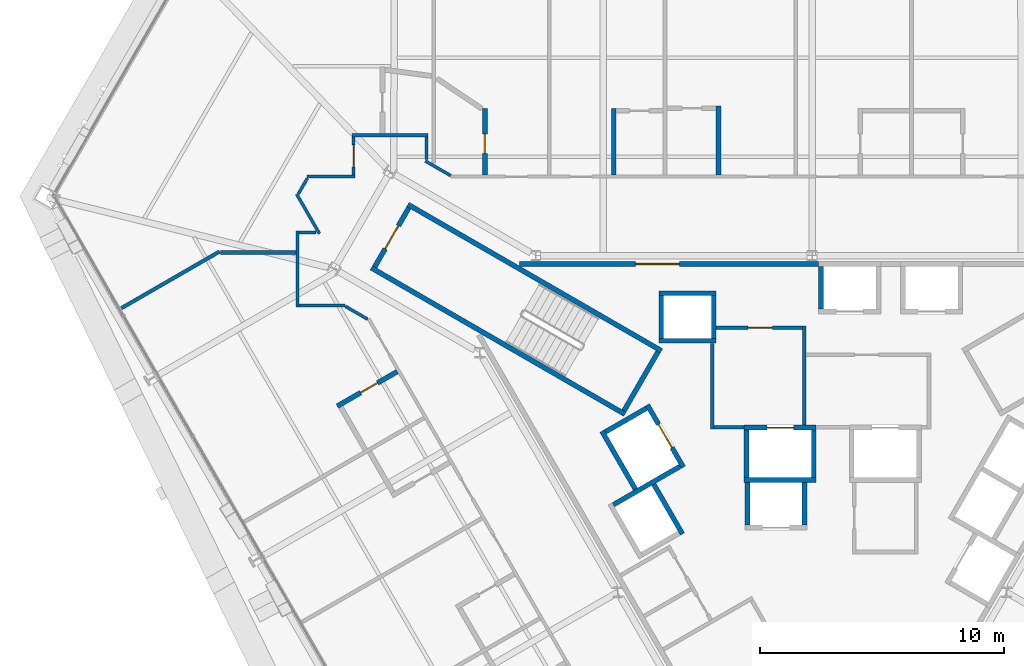
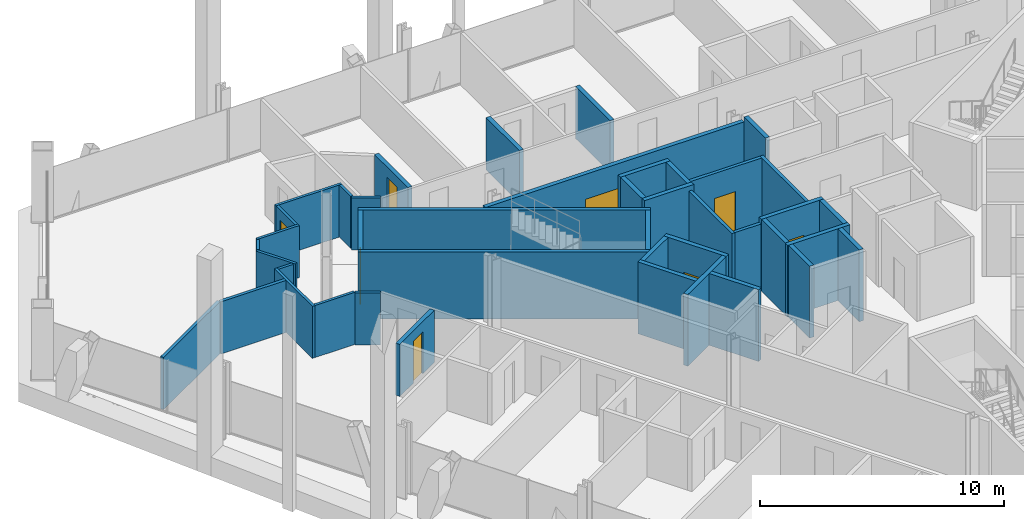
# One storey, part 15 of 21: 42 walls, 8 doors, 8 openings.
"""IFC4 building model written with IfcOpenShell, lengths in metres."""

from ifc_helpers import new_model, si_unit, direction, frame, frame_2d, origin, place, context, subcontext, project, spatial, rectangle, extrude, material, layer, layer_set, type_object, element, fill, save


model = new_model("IFC4")

# Units and contexts
model_context = context("Model", 3, precision=1e-05, world=origin(), true_north=direction((0.0, 1.0)))
body_context = subcontext(model_context, "Body", "Model", "MODEL_VIEW")
ifc_project = project(units=[si_unit("LENGTHUNIT", "METRE"), si_unit("AREAUNIT", "SQUARE_METRE"), si_unit("VOLUMEUNIT", "CUBIC_METRE"), si_unit("PLANEANGLEUNIT", "RADIAN"), si_unit("MASSUNIT", "GRAM", prefix="KILO")], contexts=[model_context])

# Site, building, storey
site_placement = place(None, origin())
site = spatial("IfcSite", under=ifc_project, at=site_placement, CompositionType="ELEMENT")
building_placement = place(site_placement, origin())
building = spatial("IfcBuilding", under=site, at=building_placement, Name="Verrane Prism Tower", CompositionType="ELEMENT")
storey_placement = place(building_placement, frame((0.0, 0.0, 65.60009765625)))
storey = spatial("IfcBuildingStorey", under=building, at=storey_placement, Name="L14", CompositionType="ELEMENT", Elevation=65.60009765625)

# Wall, opening, door
ifc_material_1 = material(Name="Gypsum board partition", Category="other")
ifc_layer_1 = layer(ifc_material_1, 0.199951171875)
ifc_layer_set_1 = layer_set([ifc_layer_1], Name="CW-200 core boundary wall 2 h")
wall_type_1 = type_object("IfcWallType", Name="CW-200 core boundary wall 2 h", PredefinedType="PARTITIONING", material=ifc_layer_set_1)
wall_1_placement = place(storey_placement, frame((0.262939453125, 8.860107421875, 0.0), z_axis=(0.0, 0.0, 1.0), x_axis=(-1.0, 0.0, 0.0)))
wall_1 = element("IfcWall", 1, at=wall_1_placement, inside=storey, type_object=wall_type_1, Name="Core boundary wall CW3-002", PredefinedType="PARTITIONING", context=body_context, shape_type="SweptSolid", body=[
    extrude(rectangle(XDim=12.25390625, YDim=0.199951171875, at=frame_2d((6.126953125, 0.0))), origin(), (0.0, 0.0, 1.0), 3.349853515625),
])
opening_1_placement = place(wall_1_placement, frame((5.708984375, 0.0, 0.0)))
opening_1 = element("IfcOpeningElement", 2, at=opening_1_placement, cuts=wall_1, Name="Opening D14511", PredefinedType="OPENING", context=body_context, shape_type="SweptSolid", body=[
    extrude(rectangle(XDim=1.800048828125, YDim=2.10009765625, at=frame_2d((0.89990234375, 1.050048828125))), frame((0.0, 0.10986328125, 0.0), z_axis=(0.0, -1.0, 0.0), x_axis=(1.0, 0.0, 0.0)), (0.0, 0.0, 1.0), 0.219970703125),
])
ifc_material_2 = material(Name="Timber veneered door leaf", Category="wood")
door_type_1 = type_object("IfcDoorType", Name="DR-1800x2100 FD60 double leaf lift lobby", OperationType="NOTDEFINED", PredefinedType="DOOR", material=ifc_material_2)
door_1_placement = place(opening_1_placement, origin())
door_1 = element("IfcDoor", 3, at=door_1_placement, inside=storey, type_object=door_type_1, Name="Lift lobby door D14511", OperationType="DOUBLE_DOOR_SINGLE_SWING", OverallHeight=2.10009765625, OverallWidth=1.800048828125, PredefinedType="DOOR", context=body_context, shape_type="SweptSolid", body=[
    extrude(rectangle(XDim=1.800048828125, YDim=2.10009765625, at=frame_2d((0.89990234375, 1.050048828125))), frame((0.0, 0.02490234375, 0.0), z_axis=(0.0, -1.0, 0.0), x_axis=(1.0, 0.0, 0.0)), (0.0, 0.0, 1.0), 0.050048828125),
])
fill(opening_1, door_1)

ifc_material_3 = material(Name="Concrete C40/50", Category="concrete")
ifc_layer_2 = layer(ifc_material_3, 0.199951171875)
ifc_layer_set_2 = layer_set([ifc_layer_2], Name="CW-200 stair core wall concrete C40/50 3 h")
wall_type_2 = type_object("IfcWallType", Name="CW-200 stair core wall concrete C40/50 3 h", PredefinedType="PARTITIONING", material=ifc_layer_set_2)
wall_2_placement = place(storey_placement, frame((-16.533935546875, 11.162353515625, 0.0), z_axis=(0.0, 0.0, 1.0), x_axis=(-0.49998411664, -0.866034573852, 0.0)))
wall_2 = element("IfcWall", 4, at=wall_2_placement, inside=storey, type_object=wall_type_2, Name="Stair 2 enclosure wall", PredefinedType="PARTITIONING", context=body_context, shape_type="SweptSolid", body=[
    extrude(rectangle(XDim=2.7998046875, YDim=0.199951171875, at=frame_2d((1.39990234375, 0.0))), origin(), (0.0, 0.0, 1.0), 3.349853515625),
])
opening_2_placement = place(wall_2_placement, frame((0.849853515625, 0.0, 0.0)))
opening_2 = element("IfcOpeningElement", 5, at=opening_2_placement, cuts=wall_2, Name="Opening D14501", PredefinedType="OPENING", context=body_context, shape_type="SweptSolid", body=[
    extrude(rectangle(XDim=1.10009765625, YDim=2.10009765625, at=frame_2d((0.550048828125, 1.050048828125))), frame((0.0, 0.10986328125, 0.0), z_axis=(0.0, -1.0, 0.0), x_axis=(1.0, 0.0, 0.0)), (0.0, 0.0, 1.0), 0.219970703125),
])
ifc_material_4 = material(Name="Timber veneered door leaf", Category="wood")
door_type_2 = type_object("IfcDoorType", Name="DR-1100x2100 FD90 single leaf stair", OperationType="NOTDEFINED", PredefinedType="DOOR", material=ifc_material_4)
door_2_placement = place(opening_2_placement, origin())
door_2 = element("IfcDoor", 6, at=door_2_placement, inside=storey, type_object=door_type_2, Name="Stair 2 door", OperationType="SINGLE_SWING_RIGHT", OverallHeight=2.10009765625, OverallWidth=1.10009765625, PredefinedType="DOOR", context=body_context, shape_type="SweptSolid", body=[
    extrude(rectangle(XDim=1.10009765625, YDim=2.10009765625, at=frame_2d((0.550048828125, 1.050048828125))), frame((0.0, 0.02490234375, 0.0), z_axis=(0.0, -1.0, 0.0), x_axis=(1.0, 0.0, 0.0)), (0.0, 0.0, 1.0), 0.050048828125),
])
fill(opening_2, door_2)

# Walls
for number, where, z_axis, x_axis, name in (
    (7, (-7.67822265625, 2.700927734375, 0.0), (0.0, 0.0, 1.0), (-0.866026010844, 0.49999894854, 0.0), "Stair 2 enclosure wall"),
    (8, (-6.17822265625, 5.299072265625, 0.0), (0.0, 0.0, 1.0), (-0.866026010844, 0.49999894854, 0.0), "Stair 2 enclosure wall"),
):
    element("IfcWall", number, at=place(storey_placement, frame(where, z_axis=z_axis, x_axis=x_axis)), inside=storey, type_object=wall_type_2, Name=name, PredefinedType="PARTITIONING", context=body_context, shape_type="SweptSolid", body=[
        extrude(rectangle(XDim=12.0, YDim=0.199951171875, at=frame_2d((6.0, 0.0))), origin(), (0.0, 0.0, 1.0), 3.349853515625),
    ])
wall_3_placement = place(storey_placement, frame((-6.314697265625, 5.262451171875, 0.0), z_axis=(0.0, 0.0, 1.0), x_axis=(-0.500049511043, -0.865996816683, 0.0)))
element("IfcWall", 9, at=wall_3_placement, inside=storey, type_object=wall_type_2, Name="Stair 2 enclosure wall", PredefinedType="PARTITIONING", context=body_context, shape_type="SweptSolid", body=[
    extrude(rectangle(XDim=2.800048828125, YDim=0.199951171875, at=frame_2d((1.39990234375, 0.0))), origin(), (0.0, 0.0, 1.0), 3.349853515625),
])
ifc_material_5 = material(Name="Gypsum board shaft wall assembly", Category="other")
ifc_layer_3 = layer(ifc_material_5, 0.199951171875)
ifc_layer_set_3 = layer_set([ifc_layer_3], Name="HW-200 lift shaft wall 2 h")
wall_type_3 = type_object("IfcWallType", Name="HW-200 lift shaft wall 2 h", PredefinedType="PARTITIONING", material=ifc_layer_set_3)
wall_4_placement = place(storey_placement, frame((-2.784912109375, 0.0, 0.0), z_axis=(0.0, 0.0, 1.0), x_axis=(1.0, 0.0, 0.0)))
element("IfcWall", 10, at=wall_4_placement, inside=storey, type_object=wall_type_3, Name="Lift shaft wall", PredefinedType="PARTITIONING", context=body_context, shape_type="SweptSolid", body=[
    extrude(rectangle(XDim=2.949951171875, YDim=0.199951171875, at=frame_2d((1.47509765625, 0.0))), origin(), (0.0, 0.0, 1.0), 3.599853515625),
])

# Wall, opening, door
wall_5_placement = place(storey_placement, frame((-2.784912109375, 2.14990234375, 0.0), z_axis=(0.0, 0.0, 1.0), x_axis=(1.0, 0.0, 0.0)))
wall_5 = element("IfcWall", 11, at=wall_5_placement, inside=storey, type_object=wall_type_3, Name="Lift shaft wall", PredefinedType="PARTITIONING", context=body_context, shape_type="SweptSolid", body=[
    extrude(rectangle(XDim=2.949951171875, YDim=0.199951171875, at=frame_2d((1.47509765625, 0.0))), origin(), (0.0, 0.0, 1.0), 3.599853515625),
])
opening_3_placement = place(wall_5_placement, frame((0.925048828125, 0.0, 0.0)))
opening_3 = element("IfcOpeningElement", 12, at=opening_3_placement, cuts=wall_5, Name="Opening D14508", PredefinedType="OPENING", context=body_context, shape_type="SweptSolid", body=[
    extrude(rectangle(XDim=1.10009765625, YDim=2.10009765625, at=frame_2d((0.550048828125, 1.050048828125))), frame((0.0, 0.10986328125, 0.0), z_axis=(0.0, -1.0, 0.0), x_axis=(1.0, 0.0, 0.0)), (0.0, 0.0, 1.0), 0.219970703125),
])
ifc_material_6 = material(Name="Stainless steel sliding landing door", Category="steel")
door_type_3 = type_object("IfcDoorType", Name="LD-1100x2100 lift landing door FD90 sliding", OperationType="NOTDEFINED", PredefinedType="DOOR", material=ifc_material_6)
door_3_placement = place(opening_3_placement, origin())
door_3 = element("IfcDoor", 13, at=door_3_placement, inside=storey, type_object=door_type_3, Name="Fire service lift 1 landing door", OperationType="SLIDING_TO_LEFT", OverallHeight=2.10009765625, OverallWidth=1.10009765625, PredefinedType="DOOR", context=body_context, shape_type="SweptSolid", body=[
    extrude(rectangle(XDim=1.10009765625, YDim=2.10009765625, at=frame_2d((0.550048828125, 1.050048828125))), frame((0.0, 0.02490234375, 0.0), z_axis=(0.0, -1.0, 0.0), x_axis=(1.0, 0.0, 0.0)), (0.0, 0.0, 1.0), 0.050048828125),
])
fill(opening_3, door_3)

# Walls
for number, where, z_axis, x_axis, name in (
    (14, (-6.284912109375, 5.7099609375, 0.0), (0.0, 0.0, 1.0), (1.0, 0.0, 0.0), "Lift shaft wall"),
    (15, (-6.284912109375, 7.659912109375, 0.0), (0.0, 0.0, 1.0), (1.0, 0.0, 0.0), "Lift shaft wall"),
):
    element("IfcWall", number, at=place(storey_placement, frame(where, z_axis=z_axis, x_axis=x_axis)), inside=storey, type_object=wall_type_3, Name=name, PredefinedType="PARTITIONING", context=body_context, shape_type="SweptSolid", body=[
        extrude(rectangle(XDim=2.349853515625, YDim=0.199951171875, at=frame_2d((1.1748046875, 0.0))), origin(), (0.0, 0.0, 1.0), 3.599853515625),
    ])
wall_6_placement = place(storey_placement, frame((-8.14453125, -1.012939453125, 0.0), z_axis=(0.0, 0.0, 1.0), x_axis=(0.866016494683, 0.500015430699, 0.0)))
element("IfcWall", 16, at=wall_6_placement, inside=storey, type_object=wall_type_3, Name="Lift shaft wall", PredefinedType="PARTITIONING", context=body_context, shape_type="SweptSolid", body=[
    extrude(rectangle(XDim=3.14990234375, YDim=0.199951171875, at=frame_2d((1.574951171875, 0.0))), origin(), (0.0, 0.0, 1.0), 3.599853515625),
])
wall_7_placement = place(storey_placement, frame((-8.48046875, 1.968505859375, 0.0), z_axis=(0.0, 0.0, 1.0), x_axis=(0.866000020948, 0.500043961785, 0.0)))
element("IfcWall", 17, at=wall_7_placement, inside=storey, type_object=wall_type_3, Name="Lift shaft wall", PredefinedType="PARTITIONING", context=body_context, shape_type="SweptSolid", body=[
    extrude(rectangle(XDim=1.949951171875, YDim=0.199951171875, at=frame_2d((0.97509765625, 0.0))), origin(), (0.0, 0.0, 1.0), 3.599853515625),
])
wall_8_placement = place(storey_placement, frame((0.364990234375, 7.010009765625, 0.0), z_axis=(0.0, 0.0, 1.0), x_axis=(0.0, 1.0, 0.0)))
element("IfcWall", 18, at=wall_8_placement, inside=storey, type_object=wall_type_3, Name="Lift shaft wall", PredefinedType="PARTITIONING", context=body_context, shape_type="SweptSolid", body=[
    extrude(rectangle(XDim=1.75, YDim=0.199951171875, at=frame_2d((0.875, 0.0))), origin(), (0.0, 0.0, 1.0), 3.599853515625),
])
wall_9_placement = place(storey_placement, frame((0.06494140625, 0.10009765625, 0.0), z_axis=(0.0, 0.0, 1.0), x_axis=(0.0, 1.0, 0.0)))
element("IfcWall", 19, at=wall_9_placement, inside=storey, type_object=wall_type_3, Name="Lift shaft wall", PredefinedType="PARTITIONING", context=body_context, shape_type="SweptSolid", body=[
    extrude(rectangle(XDim=1.949951171875, YDim=0.199951171875, at=frame_2d((0.97509765625, 0.0))), origin(), (0.0, 0.0, 1.0), 3.599853515625),
])
for number, where, z_axis, x_axis, name in (
    (20, (-0.304931640625, -1.85009765625, 0.0), (0.0, 0.0, 1.0), (0.0, 1.0, 0.0), "Lift shaft wall"),
    (21, (-2.655029296875, -1.85009765625, 0.0), (0.0, 0.0, 1.0), (0.0, 1.0, 0.0), "Lift shaft wall"),
):
    element("IfcWall", number, at=place(storey_placement, frame(where, z_axis=z_axis, x_axis=x_axis)), inside=storey, type_object=wall_type_3, Name=name, PredefinedType="PARTITIONING", context=body_context, shape_type="SweptSolid", body=[
        extrude(rectangle(XDim=1.75, YDim=0.199951171875, at=frame_2d((0.875, 0.0))), origin(), (0.0, 0.0, 1.0), 3.599853515625),
    ])
wall_10_placement = place(storey_placement, frame((-2.68505859375, 0.10009765625, 0.0), z_axis=(0.0, 0.0, 1.0), x_axis=(0.0, 1.0, 0.0)))
element("IfcWall", 22, at=wall_10_placement, inside=storey, type_object=wall_type_3, Name="Lift shaft wall", PredefinedType="PARTITIONING", context=body_context, shape_type="SweptSolid", body=[
    extrude(rectangle(XDim=1.949951171875, YDim=0.199951171875, at=frame_2d((0.97509765625, 0.0))), origin(), (0.0, 0.0, 1.0), 3.599853515625),
])
for number, where, z_axis, x_axis, name in (
    (23, (-4.034912109375, 5.81005859375, 0.0), (0.0, 0.0, 1.0), (0.0, 1.0, 0.0), "Lift shaft wall"),
    (24, (-6.18505859375, 5.81005859375, 0.0), (0.0, 0.0, 1.0), (0.0, 1.0, 0.0), "Lift shaft wall"),
):
    element("IfcWall", number, at=place(storey_placement, frame(where, z_axis=z_axis, x_axis=x_axis)), inside=storey, type_object=wall_type_3, Name=name, PredefinedType="PARTITIONING", context=body_context, shape_type="SweptSolid", body=[
        extrude(rectangle(XDim=1.75, YDim=0.199951171875, at=frame_2d((0.875, 0.0))), origin(), (0.0, 0.0, 1.0), 3.599853515625),
    ])

# Wall, opening, door
wall_11_placement = place(storey_placement, frame((-5.280029296875, 0.525390625, 0.0), z_axis=(0.0, 0.0, 1.0), x_axis=(-0.500037662692, 0.866003658127, 0.0)))
wall_11 = element("IfcWall", 25, at=wall_11_placement, inside=storey, type_object=wall_type_3, Name="Lift shaft wall", PredefinedType="PARTITIONING", context=body_context, shape_type="SweptSolid", body=[
    extrude(rectangle(XDim=2.949951171875, YDim=0.199951171875, at=frame_2d((1.47509765625, 0.0))), origin(), (0.0, 0.0, 1.0), 3.599853515625),
])
opening_4_placement = place(wall_11_placement, frame((0.925048828125, 0.0, 0.0)))
opening_4 = element("IfcOpeningElement", 26, at=opening_4_placement, cuts=wall_11, Name="Opening D14510", PredefinedType="OPENING", context=body_context, shape_type="SweptSolid", body=[
    extrude(rectangle(XDim=1.10009765625, YDim=2.10009765625, at=frame_2d((0.550048828125, 1.050048828125))), frame((0.0, 0.10986328125, 0.0), z_axis=(0.0, -1.0, 0.0), x_axis=(1.0, 0.0, 0.0)), (0.0, 0.0, 1.0), 0.219970703125),
])
door_4_placement = place(opening_4_placement, origin())
door_4 = element("IfcDoor", 27, at=door_4_placement, inside=storey, type_object=door_type_3, Name="Service lift 1 landing door", OperationType="SLIDING_TO_LEFT", OverallHeight=2.10009765625, OverallWidth=1.10009765625, PredefinedType="DOOR", context=body_context, shape_type="SweptSolid", body=[
    extrude(rectangle(XDim=1.10009765625, YDim=2.10009765625, at=frame_2d((0.550048828125, 1.050048828125))), frame((0.0, 0.02490234375, 0.0), z_axis=(0.0, -1.0, 0.0), x_axis=(1.0, 0.0, 0.0)), (0.0, 0.0, 1.0), 0.050048828125),
])
fill(opening_4, door_4)

# Walls
wall_12_placement = place(storey_placement, frame((-5.317626953125, -2.209716796875, 0.0), z_axis=(0.0, 0.0, 1.0), x_axis=(-0.499938297808, 0.866061024631, 0.0)))
element("IfcWall", 28, at=wall_12_placement, inside=storey, type_object=wall_type_3, Name="Lift shaft wall", PredefinedType="PARTITIONING", context=body_context, shape_type="SweptSolid", body=[
    extrude(rectangle(XDim=2.349853515625, YDim=0.199951171875, at=frame_2d((1.1748046875, 0.0))), origin(), (0.0, 0.0, 1.0), 3.599853515625),
])
wall_13_placement = place(storey_placement, frame((-7.241943359375, -0.37646484375, 0.0), z_axis=(0.0, 0.0, 1.0), x_axis=(-0.499996545922, 0.866027397988, 0.0)))
element("IfcWall", 29, at=wall_13_placement, inside=storey, type_object=wall_type_3, Name="Lift shaft wall", PredefinedType="PARTITIONING", context=body_context, shape_type="SweptSolid", body=[
    extrude(rectangle(XDim=2.75, YDim=0.199951171875, at=frame_2d((1.375, 0.0))), origin(), (0.0, 0.0, 1.0), 3.599853515625),
])
ifc_material_7 = material(Name="Gypsum board partition", Category="other")
ifc_layer_4 = layer(ifc_material_7, 0.14990234375)
ifc_layer_set_4 = layer_set([ifc_layer_4], Name="LF-150 firefighting lobby wall 1 h")
wall_type_4 = type_object("IfcWallType", Name="LF-150 firefighting lobby wall 1 h", PredefinedType="PARTITIONING", material=ifc_layer_set_4)
wall_14_placement = place(storey_placement, frame((-4.10009765625, 2.0849609375, 0.0), z_axis=(0.0, 0.0, 1.0), x_axis=(0.0, 1.0, 0.0)))
element("IfcWall", 30, at=wall_14_placement, inside=storey, type_object=wall_type_4, Name="Firefighting lobby wall LF1-001", PredefinedType="PARTITIONING", context=body_context, shape_type="SweptSolid", body=[
    extrude(rectangle(XDim=3.52294921875, YDim=0.14990234375, at=frame_2d((1.761474609375, 0.0))), origin(), (0.0, 0.0, 1.0), 3.349853515625),
])
wall_15_placement = place(storey_placement, frame((-4.02490234375, 2.159912109375, 0.0), z_axis=(0.0, 0.0, 1.0), x_axis=(1.0, 0.0, 0.0)))
element("IfcWall", 31, at=wall_15_placement, inside=storey, type_object=wall_type_4, Name="Firefighting lobby wall LF1-002", PredefinedType="PARTITIONING", context=body_context, shape_type="SweptSolid", body=[
    extrude(rectangle(XDim=1.23779296875, YDim=0.14990234375, at=frame_2d((0.618896484375, 0.0))), origin(), (0.0, 0.0, 1.0), 3.349853515625),
])

# Wall, opening, door
wall_16_placement = place(storey_placement, frame((-3.93310546875, 6.239990234375, 0.0), z_axis=(0.0, 0.0, 1.0), x_axis=(1.0, 0.0, 0.0)))
wall_16 = element("IfcWall", 32, at=wall_16_placement, inside=storey, type_object=wall_type_4, Name="Firefighting lobby wall LF1-003", PredefinedType="PARTITIONING", context=body_context, shape_type="SweptSolid", body=[
    extrude(rectangle(XDim=3.5380859375, YDim=0.14990234375, at=frame_2d((1.76904296875, 0.0))), origin(), (0.0, 0.0, 1.0), 3.349853515625),
])
opening_5_placement = place(wall_16_placement, frame((1.300048828125, 0.0, 0.0)))
opening_5 = element("IfcOpeningElement", 33, at=opening_5_placement, cuts=wall_16, Name="Opening D14515", PredefinedType="OPENING", context=body_context, shape_type="SweptSolid", body=[
    extrude(rectangle(XDim=1.0, YDim=2.10009765625, at=frame_2d((0.5, 1.050048828125))), frame((0.0, 0.0849609375, 0.0), z_axis=(0.0, -1.0, 0.0), x_axis=(1.0, 0.0, 0.0)), (0.0, 0.0, 1.0), 0.169921875),
])
ifc_material_8 = material(Name="Timber veneered door leaf", Category="wood")
door_type_4 = type_object("IfcDoorType", Name="DR-1000x2100 FD60 single leaf firefighting lobby", OperationType="NOTDEFINED", PredefinedType="DOOR", material=ifc_material_8)
door_5_placement = place(opening_5_placement, origin())
door_5 = element("IfcDoor", 34, at=door_5_placement, inside=storey, type_object=door_type_4, Name="Firefighting lobby door D14515", OperationType="SINGLE_SWING_LEFT", OverallHeight=2.10009765625, OverallWidth=1.0, PredefinedType="DOOR", context=body_context, shape_type="SweptSolid", body=[
    extrude(rectangle(XDim=1.0, YDim=2.10009765625, at=frame_2d((0.5, 1.050048828125))), frame((0.0, 0.02490234375, 0.0), z_axis=(0.0, -1.0, 0.0), x_axis=(1.0, 0.0, 0.0)), (0.0, 0.0, 1.0), 0.050048828125),
])
fill(opening_5, door_5)

# Walls
wall_17_placement = place(storey_placement, frame((-0.320068359375, 2.251953125, 0.0), z_axis=(0.0, 0.0, 1.0), x_axis=(0.0, 1.0, 0.0)))
element("IfcWall", 35, at=wall_17_placement, inside=storey, type_object=wall_type_4, Name="Firefighting lobby wall LF1-004", PredefinedType="PARTITIONING", context=body_context, shape_type="SweptSolid", body=[
    extrude(rectangle(XDim=4.06298828125, YDim=0.14990234375, at=frame_2d((2.031494140625, 0.0))), origin(), (0.0, 0.0, 1.0), 3.349853515625),
])
ifc_material_9 = material(Name="Gypsum board partition", Category="other")
ifc_layer_5 = layer(ifc_material_9, 0.125)
ifc_layer_set_5 = layer_set([ifc_layer_5], Name="PW-125 corridor wall 1 h")
wall_type_5 = type_object("IfcWallType", Name="PW-125 corridor wall 1 h", PredefinedType="PARTITIONING", material=ifc_layer_set_5)
wall_18_placement = place(storey_placement, frame((-21.05859375, 11.74072265625, 0.0), z_axis=(0.0, 0.0, 1.0), x_axis=(0.500238258503, 0.865887801468, 0.0)))
element("IfcWall", 36, at=wall_18_placement, inside=storey, type_object=wall_type_5, Name="Corridor wall 004", PredefinedType="PARTITIONING", context=body_context, shape_type="SweptSolid", body=[
    extrude(rectangle(XDim=0.723876953125, YDim=0.125, at=frame_2d((0.36181640625, 0.0))), origin(), (0.0, 0.0, 1.0), 2.61279296875),
])
wall_19_placement = place(storey_placement, frame((-21.13232421875, 11.72119140625, 0.0), z_axis=(0.0, 0.0, 1.0), x_axis=(0.500072997275, -0.865983254686, 0.0)))
element("IfcWall", 37, at=wall_19_placement, inside=storey, type_object=wall_type_5, Name="Corridor wall 005", PredefinedType="PARTITIONING", context=body_context, shape_type="SweptSolid", body=[
    extrude(rectangle(XDim=1.868896484375, YDim=0.125, at=frame_2d((0.9345703125, 0.0))), origin(), (0.0, 0.0, 1.0), 2.61279296875),
])
wall_20_placement = place(storey_placement, frame((-21.096923828125, 7.1005859375, 0.0), z_axis=(0.0, 0.0, 1.0), x_axis=(0.0, 1.0, 0.0)))
element("IfcWall", 38, at=wall_20_placement, inside=storey, type_object=wall_type_5, Name="Corridor wall 006", PredefinedType="PARTITIONING", context=body_context, shape_type="SweptSolid", body=[
    extrude(rectangle(XDim=3.118896484375, YDim=0.125, at=frame_2d((1.5595703125, 0.0))), origin(), (0.0, 0.0, 1.0), 2.61279296875),
])
wall_21_placement = place(storey_placement, frame((-21.031982421875, 7.1630859375, 0.0), z_axis=(0.0, 0.0, 1.0), x_axis=(1.0, 0.0, 0.0)))
element("IfcWall", 39, at=wall_21_placement, inside=storey, type_object=wall_type_5, Name="Corridor wall 007", PredefinedType="PARTITIONING", context=body_context, shape_type="SweptSolid", body=[
    extrude(rectangle(XDim=1.888427734375, YDim=0.125, at=frame_2d((0.9443359375, 0.0))), origin(), (0.0, 0.0, 1.0), 2.61279296875),
])
wall_22_placement = place(storey_placement, frame((-21.031982421875, 10.156982421875, 0.0), z_axis=(0.0, 0.0, 1.0), x_axis=(1.0, 0.0, 0.0)))
element("IfcWall", 40, at=wall_22_placement, inside=storey, type_object=wall_type_5, Name="Corridor wall 008", PredefinedType="PARTITIONING", context=body_context, shape_type="SweptSolid", body=[
    extrude(rectangle(XDim=0.697998046875, YDim=0.125, at=frame_2d((0.34912109375, 0.0))), origin(), (0.0, 0.0, 1.0), 2.61279296875),
])
wall_23_placement = place(storey_placement, frame((-20.716552734375, 12.44091796875, 0.0), z_axis=(0.0, 0.0, 1.0), x_axis=(1.0, 0.0, 0.0)))
element("IfcWall", 41, at=wall_23_placement, inside=storey, type_object=wall_type_5, Name="Corridor wall 010", PredefinedType="PARTITIONING", context=body_context, shape_type="SweptSolid", body=[
    extrude(rectangle(XDim=1.98193359375, YDim=0.125, at=frame_2d((0.990966796875, 0.0))), origin(), (0.0, 0.0, 1.0), 2.61279296875),
])
wall_24_placement = place(storey_placement, frame((-19.13232421875, 7.12060546875, 0.0), z_axis=(0.0, 0.0, 1.0), x_axis=(0.865876245925, -0.500258260045, 0.0)))
element("IfcWall", 42, at=wall_24_placement, inside=storey, type_object=wall_type_5, Name="Corridor wall 013", PredefinedType="PARTITIONING", context=body_context, shape_type="SweptSolid", body=[
    extrude(rectangle(XDim=1.0517578125, YDim=0.125, at=frame_2d((0.52587890625, 0.0))), origin(), (0.0, 0.0, 1.0), 2.61279296875),
])

# Wall, opening, door
wall_25_placement = place(storey_placement, frame((-18.797119140625, 12.506103515625, 0.0), z_axis=(0.0, 0.0, 1.0), x_axis=(0.0, 1.0, 0.0)))
wall_25 = element("IfcWall", 43, at=wall_25_placement, inside=storey, type_object=wall_type_5, Name="Corridor wall 014", PredefinedType="PARTITIONING", context=body_context, shape_type="SweptSolid", body=[
    extrude(rectangle(XDim=1.56591796875, YDim=0.125, at=frame_2d((0.782958984375, 0.0))), origin(), (0.0, 0.0, 1.0), 2.61279296875),
])
opening_6_placement = place(wall_25_placement, frame((0.3349609375, 0.0, 0.0)))
opening_6 = element("IfcOpeningElement", 44, at=opening_6_placement, cuts=wall_25, Name="Opening D14030", PredefinedType="OPENING", context=body_context, shape_type="SweptSolid", body=[
    extrude(rectangle(XDim=0.89990234375, YDim=2.10009765625, at=frame_2d((0.449951171875, 1.050048828125))), frame((0.0, 0.072509765625, 0.0), z_axis=(0.0, -1.0, 0.0), x_axis=(1.0, 0.0, 0.0)), (0.0, 0.0, 1.0), 0.14501953125),
])
ifc_material_10 = material(Name="Timber veneered door leaf", Category="wood")
door_type_5 = type_object("IfcDoorType", Name="DR-900x2100 FD20 single leaf unit", OperationType="NOTDEFINED", PredefinedType="DOOR", material=ifc_material_10)
door_6_placement = place(opening_6_placement, origin())
door_6 = element("IfcDoor", 45, at=door_6_placement, inside=storey, type_object=door_type_5, Name="Corner Suite door", OperationType="SINGLE_SWING_RIGHT", OverallHeight=2.10009765625, OverallWidth=0.89990234375, PredefinedType="DOOR", context=body_context, shape_type="SweptSolid", body=[
    extrude(rectangle(XDim=0.89990234375, YDim=2.10009765625, at=frame_2d((0.449951171875, 1.050048828125))), frame((0.0, 0.02490234375, 0.0), z_axis=(0.0, -1.0, 0.0), x_axis=(1.0, 0.0, 0.0)), (0.0, 0.0, 1.0), 0.050048828125),
])
fill(opening_6, door_6)

# Walls
wall_26_placement = place(storey_placement, frame((-18.859619140625, 14.136962890625, 0.0), z_axis=(0.0, 0.0, 1.0), x_axis=(1.0, 0.0, 0.0)))
element("IfcWall", 46, at=wall_26_placement, inside=storey, type_object=wall_type_5, Name="Corridor wall 015", PredefinedType="PARTITIONING", context=body_context, shape_type="SweptSolid", body=[
    extrude(rectangle(XDim=3.119140625, YDim=0.125, at=frame_2d((1.5595703125, 0.0))), origin(), (0.0, 0.0, 1.0), 2.61279296875),
])
wall_27_placement = place(storey_placement, frame((-15.802978515625, 13.135009765625, 0.0), z_axis=(0.0, 0.0, 1.0), x_axis=(0.0, 1.0, 0.0)))
element("IfcWall", 47, at=wall_27_placement, inside=storey, type_object=wall_type_5, Name="Corridor wall 023", PredefinedType="PARTITIONING", context=body_context, shape_type="SweptSolid", body=[
    extrude(rectangle(XDim=0.93701171875, YDim=0.125, at=frame_2d((0.468505859375, 0.0))), origin(), (0.0, 0.0, 1.0), 2.61279296875),
])
wall_28_placement = place(storey_placement, frame((-15.857177734375, 13.081298828125, 0.0), z_axis=(0.0, 0.0, 1.0), x_axis=(0.866035997947, -0.499981649923, 0.0)))
element("IfcWall", 48, at=wall_28_placement, inside=storey, type_object=wall_type_5, Name="Corridor wall 024", PredefinedType="PARTITIONING", context=body_context, shape_type="SweptSolid", body=[
    extrude(rectangle(XDim=1.19580078125, YDim=0.125, at=frame_2d((0.597900390625, 0.0))), origin(), (0.0, 0.0, 1.0), 2.61279296875),
])
ifc_material_11 = material(Name="Gypsum board partition", Category="other")
ifc_layer_6 = layer(ifc_material_11, 0.14990234375)
ifc_layer_set_6 = layer_set([ifc_layer_6], Name="PW-150 demising wall 1 h")
wall_type_6 = type_object("IfcWallType", Name="PW-150 demising wall 1 h", PredefinedType="PARTITIONING", material=ifc_layer_set_6)
wall_29_placement = place(storey_placement, frame((-28.312744140625, 7.050048828125, 0.0), z_axis=(0.0, 0.0, 1.0), x_axis=(0.866076865069, 0.499910855846, 0.0)))
element("IfcWall", 49, at=wall_29_placement, inside=storey, type_object=wall_type_6, Name="Demising wall 001", PredefinedType="PARTITIONING", context=body_context, shape_type="SweptSolid", body=[
    extrude(rectangle(XDim=4.636474609375, YDim=0.14990234375, at=frame_2d((2.318359375, 0.0))), origin(), (0.0, 0.0, 1.0), 2.61279296875),
])
wall_30_placement = place(storey_placement, frame((-24.261962890625, 9.3291015625, 0.0), z_axis=(0.0, 0.0, 1.0), x_axis=(1.0, 0.0, 0.0)))
element("IfcWall", 50, at=wall_30_placement, inside=storey, type_object=wall_type_6, Name="Demising wall 002", PredefinedType="PARTITIONING", context=body_context, shape_type="SweptSolid", body=[
    extrude(rectangle(XDim=3.1025390625, YDim=0.14990234375, at=frame_2d((1.55126953125, 0.0))), origin(), (0.0, 0.0, 1.0), 2.61279296875),
])

# Wall, opening, door
ifc_material_12 = material(Name="Gypsum board partition", Category="other")
ifc_layer_7 = layer(ifc_material_12, 0.199951171875)
ifc_layer_set_7 = layer_set([ifc_layer_7], Name="PW-200 plumbing wall")
wall_type_7 = type_object("IfcWallType", Name="PW-200 plumbing wall", PredefinedType="PARTITIONING", material=ifc_layer_set_7)
wall_31_placement = place(storey_placement, frame((-17.010498046875, 4.447265625, 0.0), z_axis=(0.0, 0.0, 1.0), x_axis=(-0.866033446572, -0.499986069224, 0.0)))
wall_31 = element("IfcWall", 51, at=wall_31_placement, inside=storey, type_object=wall_type_7, Name="Plumbing wall 012", PredefinedType="PARTITIONING", context=body_context, shape_type="SweptSolid", body=[
    extrude(rectangle(XDim=2.83251953125, YDim=0.199951171875, at=frame_2d((1.416259765625, 0.0))), origin(), (0.0, 0.0, 1.0), 2.61279296875),
])
opening_7_placement = place(wall_31_placement, frame((0.9326171875, 0.0, 0.0)))
opening_7 = element("IfcOpeningElement", 52, at=opening_7_placement, cuts=wall_31, Name="Opening D14033", PredefinedType="OPENING", context=body_context, shape_type="SweptSolid", body=[
    extrude(rectangle(XDim=0.800048828125, YDim=2.10009765625, at=frame_2d((0.39990234375, 1.050048828125))), frame((0.0, 0.10986328125, 0.0), z_axis=(0.0, -1.0, 0.0), x_axis=(1.0, 0.0, 0.0)), (0.0, 0.0, 1.0), 0.219970703125),
])
ifc_material_13 = material(Name="Timber veneered door leaf", Category="wood")
door_type_6 = type_object("IfcDoorType", Name="DR-800x2100 single leaf bath", OperationType="NOTDEFINED", PredefinedType="DOOR", material=ifc_material_13)
door_7_placement = place(opening_7_placement, origin())
door_7 = element("IfcDoor", 53, at=door_7_placement, inside=storey, type_object=door_type_6, Name="En-Suite door", OperationType="SINGLE_SWING_RIGHT", OverallHeight=2.10009765625, OverallWidth=0.800048828125, PredefinedType="DOOR", context=body_context, shape_type="SweptSolid", body=[
    extrude(rectangle(XDim=0.800048828125, YDim=2.10009765625, at=frame_2d((0.39990234375, 1.050048828125))), frame((0.0, 0.02490234375, 0.0), z_axis=(0.0, -1.0, 0.0), x_axis=(1.0, 0.0, 0.0)), (0.0, 0.0, 1.0), 0.050048828125),
])
fill(opening_7, door_7)

wall_32_placement = place(storey_placement, frame((-13.4189453125, 12.50341796875, 0.0), z_axis=(0.0, 0.0, 1.0), x_axis=(0.0, 1.0, 0.0)))
wall_32 = element("IfcWall", 54, at=wall_32_placement, inside=storey, type_object=wall_type_7, Name="Plumbing wall 031", PredefinedType="PARTITIONING", context=body_context, shape_type="SweptSolid", body=[
    extrude(rectangle(XDim=2.737548828125, YDim=0.199951171875, at=frame_2d((1.36865234375, 0.0))), origin(), (0.0, 0.0, 1.0), 2.61279296875),
])
opening_8_placement = place(wall_32_placement, frame((0.887451171875, 0.0, 0.0)))
opening_8 = element("IfcOpeningElement", 55, at=opening_8_placement, cuts=wall_32, Name="Opening D14029", PredefinedType="OPENING", context=body_context, shape_type="SweptSolid", body=[
    extrude(rectangle(XDim=0.800048828125, YDim=2.10009765625, at=frame_2d((0.39990234375, 1.050048828125))), frame((0.0, 0.10986328125, 0.0), z_axis=(0.0, -1.0, 0.0), x_axis=(1.0, 0.0, 0.0)), (0.0, 0.0, 1.0), 0.219970703125),
])
door_8_placement = place(opening_8_placement, origin())
door_8 = element("IfcDoor", 56, at=door_8_placement, inside=storey, type_object=door_type_6, Name="En-Suite door", OperationType="SINGLE_SWING_LEFT", OverallHeight=2.10009765625, OverallWidth=0.800048828125, PredefinedType="DOOR", context=body_context, shape_type="SweptSolid", body=[
    extrude(rectangle(XDim=0.800048828125, YDim=2.10009765625, at=frame_2d((0.39990234375, 1.050048828125))), frame((0.0, 0.02490234375, 0.0), z_axis=(0.0, -1.0, 0.0), x_axis=(1.0, 0.0, 0.0)), (0.0, 0.0, 1.0), 0.050048828125),
])
fill(opening_8, door_8)

# Walls
wall_33_placement = place(storey_placement, frame((-8.132080078125, 12.50341796875, 0.0), z_axis=(0.0, 0.0, 1.0), x_axis=(0.0, 1.0, 0.0)))
element("IfcWall", 57, at=wall_33_placement, inside=storey, type_object=wall_type_7, Name="Plumbing wall 038", PredefinedType="PARTITIONING", context=body_context, shape_type="SweptSolid", body=[
    extrude(rectangle(XDim=2.737548828125, YDim=0.199951171875, at=frame_2d((1.36865234375, 0.0))), origin(), (0.0, 0.0, 1.0), 2.61279296875),
])
wall_34_placement = place(storey_placement, frame((-3.83203125, 12.50341796875, 0.0), z_axis=(0.0, 0.0, 1.0), x_axis=(0.0, 1.0, 0.0)))
element("IfcWall", 58, at=wall_34_placement, inside=storey, type_object=wall_type_7, Name="Plumbing wall 044", PredefinedType="PARTITIONING", context=body_context, shape_type="SweptSolid", body=[
    extrude(rectangle(XDim=2.837646484375, YDim=0.199951171875, at=frame_2d((1.4189453125, 0.0))), origin(), (0.0, 0.0, 1.0), 2.61279296875),
])

save(model, "model.ifc")
